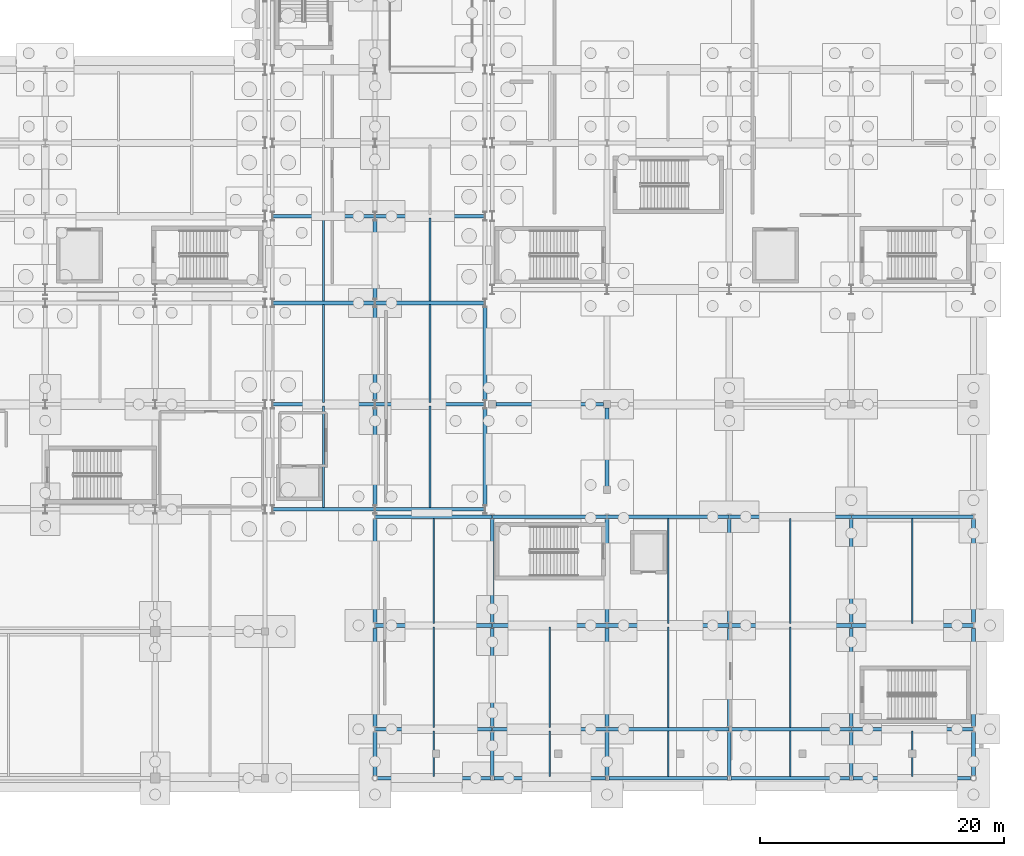
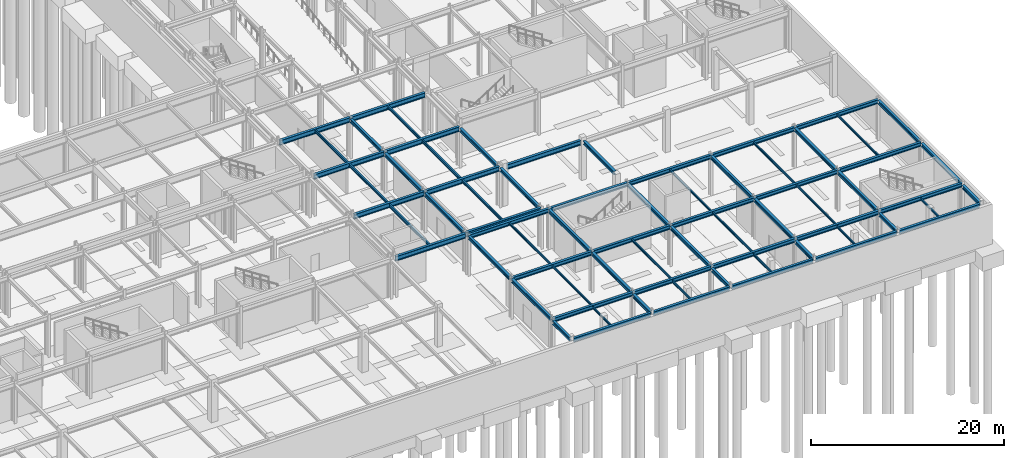
# One storey, part 37 of 65: 72 beams.
"""IFC4 building model written with IfcOpenShell, lengths in metres."""

from ifc_helpers import new_model, si_unit, direction, frame, origin, origin_2d, place, context, subcontext, project, spatial, i_section, extrude, material, material_profile, profile_set, type_object, element, save


model = new_model("IFC4")

# Units and contexts
model_context = context("Model", 3, precision=1e-05, world=origin(), true_north=direction((0.0, 1.0)))
body_context = subcontext(model_context, "Body", "Model", "MODEL_VIEW")
ifc_project = project(units=[si_unit("LENGTHUNIT", "METRE"), si_unit("AREAUNIT", "SQUARE_METRE"), si_unit("VOLUMEUNIT", "CUBIC_METRE"), si_unit("PLANEANGLEUNIT", "RADIAN"), si_unit("MASSUNIT", "GRAM", prefix="KILO")], contexts=[model_context])

# Site, building, storey
site_placement = place(None, origin())
site = spatial("IfcSite", under=ifc_project, at=site_placement, CompositionType="ELEMENT")
building_placement = place(site_placement, origin())
building = spatial("IfcBuilding", under=site, at=building_placement, Name="Kaldris Quays Convention Centre", CompositionType="ELEMENT")
storey_placement = place(building_placement, frame((0.0, 0.0, -5.39990234375)))
storey = spatial("IfcBuildingStorey", under=building, at=storey_placement, Name="B1", CompositionType="ELEMENT", Elevation=-5.39990234375)

# Beams
ifc_material = material(Name="Steel S355J2", Category="steel")
ifc_material_profile_1 = material_profile(ifc_material, i_section(OverallWidth=0.300048828125, OverallDepth=0.60009765625, WebThickness=0.015380859375, FlangeThickness=0.030029296875, FilletRadius=0.027099609375, at=origin_2d()), Name="HEB 600")
ifc_profile_set_1 = profile_set([ifc_material_profile_1], Name="Steel S355J2")
beam_type_1 = type_object("IfcBeamType", Name="STRUCTURAL BEAM BM05", PredefinedType="BEAM", material=ifc_profile_set_1)
beam_1_placement = place(storey_placement, frame((146.6025390625, 38.0, 4.697998046875), z_axis=(1.0, 0.0, 0.0), x_axis=(0.0, 1.0, 0.0)))
element("IfcBeam", 1, at=beam_1_placement, inside=storey, type_object=beam_type_1, Name="B1 Girder BM05 16", PredefinedType="BEAM", context=body_context, shape_type="SweptSolid", body=[
    extrude(i_section(OverallWidth=0.300048828125, OverallDepth=0.60009765625, WebThickness=0.015380859375, FlangeThickness=0.030029296875, FilletRadius=0.027099609375, at=origin_2d()), origin(), (0.0, 0.0, 1.0), 8.39501953125),
])
beam_2_placement = place(storey_placement, frame((155.00244140625, 38.0, 4.802978515625), z_axis=(1.0, 0.0, 0.0), x_axis=(0.0, 1.0, 0.0)))
element("IfcBeam", 2, at=beam_2_placement, inside=storey, type_object=beam_type_1, Name="B1 Girder BM05 17", PredefinedType="BEAM", context=body_context, shape_type="SweptSolid", body=[
    extrude(i_section(OverallWidth=0.300048828125, OverallDepth=0.60009765625, WebThickness=0.015380859375, FlangeThickness=0.030029296875, FilletRadius=0.027099609375, at=origin_2d()), origin(), (0.0, 0.0, 1.0), 8.9951171875),
])
beam_3_placement = place(storey_placement, frame((146.6025390625, 46.60009765625, 4.802978515625), z_axis=(1.0, 0.0, 0.0), x_axis=(0.0, 1.0, 0.0)))
element("IfcBeam", 3, at=beam_3_placement, inside=storey, type_object=beam_type_1, Name="B1 Girder BM05 31", PredefinedType="BEAM", context=body_context, shape_type="SweptSolid", body=[
    extrude(i_section(OverallWidth=0.300048828125, OverallDepth=0.60009765625, WebThickness=0.015380859375, FlangeThickness=0.030029296875, FilletRadius=0.027099609375, at=origin_2d()), origin(), (0.0, 0.0, 1.0), 8.39501953125),
])
beam_4_placement = place(storey_placement, frame((155.00244140625, 46.60009765625, 4.802978515625), z_axis=(1.0, 0.0, 0.0), x_axis=(0.0, 1.0, 0.0)))
element("IfcBeam", 4, at=beam_4_placement, inside=storey, type_object=beam_type_1, Name="B1 Girder BM05 32", PredefinedType="BEAM", context=body_context, shape_type="SweptSolid", body=[
    extrude(i_section(OverallWidth=0.300048828125, OverallDepth=0.60009765625, WebThickness=0.015380859375, FlangeThickness=0.030029296875, FilletRadius=0.027099609375, at=origin_2d()), origin(), (0.0, 0.0, 1.0), 8.9951171875),
])
beam_5_placement = place(storey_placement, frame((164.89404296875, 46.60009765625, 4.697998046875), z_axis=(1.0, 0.0, 0.0), x_axis=(0.0, 1.0, 0.0)))
element("IfcBeam", 5, at=beam_5_placement, inside=storey, type_object=beam_type_1, Name="B1 Girder BM05 33", PredefinedType="BEAM", context=body_context, shape_type="SweptSolid", body=[
    extrude(i_section(OverallWidth=0.300048828125, OverallDepth=0.60009765625, WebThickness=0.015380859375, FlangeThickness=0.030029296875, FilletRadius=0.027099609375, at=origin_2d()), origin(), (0.0, 0.0, 1.0), 8.81201171875),
])
beam_6_placement = place(storey_placement, frame((146.6025390625, 54.89990234375, 4.802978515625), z_axis=(1.0, 0.0, 0.0), x_axis=(0.0, 1.0, 0.0)))
element("IfcBeam", 6, at=beam_6_placement, inside=storey, type_object=beam_type_1, Name="B1 Girder BM05 50", PredefinedType="BEAM", context=body_context, shape_type="SweptSolid", body=[
    extrude(i_section(OverallWidth=0.300048828125, OverallDepth=0.60009765625, WebThickness=0.015380859375, FlangeThickness=0.030029296875, FilletRadius=0.027099609375, at=origin_2d()), origin(), (0.0, 0.0, 1.0), 8.39501953125),
])
beam_7_placement = place(storey_placement, frame((155.00244140625, 54.89990234375, 4.802978515625), z_axis=(1.0, 0.0, 0.0), x_axis=(0.0, 1.0, 0.0)))
element("IfcBeam", 7, at=beam_7_placement, inside=storey, type_object=beam_type_1, Name="B1 Girder BM05 51", PredefinedType="BEAM", context=body_context, shape_type="SweptSolid", body=[
    extrude(i_section(OverallWidth=0.300048828125, OverallDepth=0.60009765625, WebThickness=0.015380859375, FlangeThickness=0.030029296875, FilletRadius=0.027099609375, at=origin_2d()), origin(), (0.0, 0.0, 1.0), 8.9951171875),
])
beam_8_placement = place(storey_placement, frame((146.6025390625, 62.0, 4.802978515625), z_axis=(1.0, 0.0, 0.0), x_axis=(0.0, 1.0, 0.0)))
element("IfcBeam", 8, at=beam_8_placement, inside=storey, type_object=beam_type_1, Name="B1 Girder BM05 52", PredefinedType="BEAM", context=body_context, shape_type="SweptSolid", body=[
    extrude(i_section(OverallWidth=0.300048828125, OverallDepth=0.60009765625, WebThickness=0.015380859375, FlangeThickness=0.030029296875, FilletRadius=0.027099609375, at=origin_2d()), origin(), (0.0, 0.0, 1.0), 8.39501953125),
])
beam_9_placement = place(storey_placement, frame((155.00244140625, 62.0, 4.802978515625), z_axis=(1.0, 0.0, 0.0), x_axis=(0.0, 1.0, 0.0)))
element("IfcBeam", 9, at=beam_9_placement, inside=storey, type_object=beam_type_1, Name="B1 Girder BM05 53", PredefinedType="BEAM", context=body_context, shape_type="SweptSolid", body=[
    extrude(i_section(OverallWidth=0.300048828125, OverallDepth=0.60009765625, WebThickness=0.015380859375, FlangeThickness=0.030029296875, FilletRadius=0.027099609375, at=origin_2d()), origin(), (0.0, 0.0, 1.0), 8.9951171875),
])
ifc_material_profile_2 = material_profile(ifc_material, i_section(OverallWidth=0.300048828125, OverallDepth=0.5, WebThickness=0.014404296875, FlangeThickness=0.028076171875, FilletRadius=0.027099609375, at=origin_2d()), Name="HEB 500")
ifc_profile_set_2 = profile_set([ifc_material_profile_2], Name="Steel S355J2")
beam_type_2 = type_object("IfcBeamType", Name="STRUCTURAL BEAM BM06", PredefinedType="BEAM", material=ifc_profile_set_2)
beam_10_placement = place(storey_placement, frame((155.222412109375, 16.0, 4.747802734375), z_axis=(1.0, 0.0, 0.0), x_axis=(0.0, 1.0, 0.0)))
element("IfcBeam", 10, at=beam_10_placement, inside=storey, type_object=beam_type_2, Name="B1 Girder BM06 1", PredefinedType="BEAM", context=body_context, shape_type="SweptSolid", body=[
    extrude(i_section(OverallWidth=0.300048828125, OverallDepth=0.5, WebThickness=0.014404296875, FlangeThickness=0.028076171875, FilletRadius=0.027099609375, at=origin_2d()), origin(), (0.0, 0.0, 1.0), 9.233642578125),
])
beam_11_placement = place(storey_placement, frame((164.743896484375, 16.0, 4.747802734375), z_axis=(1.0, 0.0, 0.0), x_axis=(0.0, 1.0, 0.0)))
element("IfcBeam", 11, at=beam_11_placement, inside=storey, type_object=beam_type_2, Name="B1 Girder BM06 2", PredefinedType="BEAM", context=body_context, shape_type="SweptSolid", body=[
    extrude(i_section(OverallWidth=0.300048828125, OverallDepth=0.5, WebThickness=0.014404296875, FlangeThickness=0.028076171875, FilletRadius=0.027099609375, at=origin_2d()), origin(), (0.0, 0.0, 1.0), 9.112060546875),
])
for number, where, z_axis, x_axis, name in (
    (12, (174.14404296875, 16.0, 4.747802734375), (1.0, 0.0, 0.0), (0.0, 1.0, 0.0), "B1 Girder BM06 3"),
    (13, (184.14404296875, 16.0, 4.747802734375), (1.0, 0.0, 0.0), (0.0, 1.0, 0.0), "B1 Girder BM06 4"),
):
    element("IfcBeam", number, at=place(storey_placement, frame(where, z_axis=z_axis, x_axis=x_axis)), inside=storey, type_object=beam_type_2, Name=name, PredefinedType="BEAM", context=body_context, shape_type="SweptSolid", body=[
        extrude(i_section(OverallWidth=0.300048828125, OverallDepth=0.5, WebThickness=0.014404296875, FlangeThickness=0.028076171875, FilletRadius=0.027099609375, at=origin_2d()), origin(), (0.0, 0.0, 1.0), 9.7119140625),
    ])
beam_12_placement = place(storey_placement, frame((194.14404296875, 16.0, 4.747802734375), z_axis=(1.0, 0.0, 0.0), x_axis=(0.0, 1.0, 0.0)))
element("IfcBeam", 14, at=beam_12_placement, inside=storey, type_object=beam_type_2, Name="B1 Girder BM06 5", PredefinedType="BEAM", context=body_context, shape_type="SweptSolid", body=[
    extrude(i_section(OverallWidth=0.300048828125, OverallDepth=0.5, WebThickness=0.014404296875, FlangeThickness=0.028076171875, FilletRadius=0.027099609375, at=origin_2d()), origin(), (0.0, 0.0, 1.0), 9.633544921875),
])
beam_13_placement = place(storey_placement, frame((155.001220703125, 20.0, 4.892822265625), z_axis=(1.0, 0.0, 0.0), x_axis=(0.0, 1.0, 0.0)))
element("IfcBeam", 15, at=beam_13_placement, inside=storey, type_object=beam_type_2, Name="B1 Girder BM06 6", PredefinedType="BEAM", context=body_context, shape_type="SweptSolid", body=[
    extrude(i_section(OverallWidth=0.300048828125, OverallDepth=0.5, WebThickness=0.014404296875, FlangeThickness=0.028076171875, FilletRadius=0.027099609375, at=origin_2d()), origin(), (0.0, 0.0, 1.0), 9.597412109375),
])
beam_14_placement = place(storey_placement, frame((164.601318359375, 20.0, 4.892822265625), z_axis=(1.0, 0.0, 0.0), x_axis=(0.0, 1.0, 0.0)))
element("IfcBeam", 16, at=beam_14_placement, inside=storey, type_object=beam_type_2, Name="B1 Girder BM06 7", PredefinedType="BEAM", context=body_context, shape_type="SweptSolid", body=[
    extrude(i_section(OverallWidth=0.300048828125, OverallDepth=0.5, WebThickness=0.014404296875, FlangeThickness=0.028076171875, FilletRadius=0.027099609375, at=origin_2d()), origin(), (0.0, 0.0, 1.0), 9.3974609375),
])
for number, where, z_axis, x_axis, name in (
    (17, (174.001220703125, 20.0, 4.892822265625), (1.0, 0.0, 0.0), (0.0, 1.0, 0.0), "B1 Girder BM06 8"),
    (18, (184.001220703125, 20.0, 4.892822265625), (1.0, 0.0, 0.0), (0.0, 1.0, 0.0), "B1 Girder BM06 9"),
    (19, (194.001220703125, 20.0, 4.892822265625), (1.0, 0.0, 0.0), (0.0, 1.0, 0.0), "B1 Girder BM06 10"),
):
    element("IfcBeam", number, at=place(storey_placement, frame(where, z_axis=z_axis, x_axis=x_axis)), inside=storey, type_object=beam_type_2, Name=name, PredefinedType="BEAM", context=body_context, shape_type="SweptSolid", body=[
        extrude(i_section(OverallWidth=0.300048828125, OverallDepth=0.5, WebThickness=0.014404296875, FlangeThickness=0.028076171875, FilletRadius=0.027099609375, at=origin_2d()), origin(), (0.0, 0.0, 1.0), 9.99755859375),
    ])
beam_15_placement = place(storey_placement, frame((155.001220703125, 28.5, 4.892822265625), z_axis=(1.0, 0.0, 0.0), x_axis=(0.0, 1.0, 0.0)))
element("IfcBeam", 20, at=beam_15_placement, inside=storey, type_object=beam_type_2, Name="B1 Girder BM06 11", PredefinedType="BEAM", context=body_context, shape_type="SweptSolid", body=[
    extrude(i_section(OverallWidth=0.300048828125, OverallDepth=0.5, WebThickness=0.014404296875, FlangeThickness=0.028076171875, FilletRadius=0.027099609375, at=origin_2d()), origin(), (0.0, 0.0, 1.0), 9.597412109375),
])
beam_16_placement = place(storey_placement, frame((164.601318359375, 28.5, 4.892822265625), z_axis=(1.0, 0.0, 0.0), x_axis=(0.0, 1.0, 0.0)))
element("IfcBeam", 21, at=beam_16_placement, inside=storey, type_object=beam_type_2, Name="B1 Girder BM06 12", PredefinedType="BEAM", context=body_context, shape_type="SweptSolid", body=[
    extrude(i_section(OverallWidth=0.300048828125, OverallDepth=0.5, WebThickness=0.014404296875, FlangeThickness=0.028076171875, FilletRadius=0.027099609375, at=origin_2d()), origin(), (0.0, 0.0, 1.0), 9.3974609375),
])
for number, where, z_axis, x_axis, name in (
    (22, (174.001220703125, 28.5, 4.892822265625), (1.0, 0.0, 0.0), (0.0, 1.0, 0.0), "B1 Girder BM06 13"),
    (23, (184.001220703125, 28.5, 4.892822265625), (1.0, 0.0, 0.0), (0.0, 1.0, 0.0), "B1 Girder BM06 14"),
    (24, (194.001220703125, 28.5, 4.892822265625), (1.0, 0.0, 0.0), (0.0, 1.0, 0.0), "B1 Girder BM06 15"),
):
    element("IfcBeam", number, at=place(storey_placement, frame(where, z_axis=z_axis, x_axis=x_axis)), inside=storey, type_object=beam_type_2, Name=name, PredefinedType="BEAM", context=body_context, shape_type="SweptSolid", body=[
        extrude(i_section(OverallWidth=0.300048828125, OverallDepth=0.5, WebThickness=0.014404296875, FlangeThickness=0.028076171875, FilletRadius=0.027099609375, at=origin_2d()), origin(), (0.0, 0.0, 1.0), 9.99755859375),
    ])
beam_17_placement = place(storey_placement, frame((155.000732421875, 37.39990234375, 4.892822265625), z_axis=(1.0, 0.0, 0.0), x_axis=(0.0, 1.0, 0.0)))
element("IfcBeam", 25, at=beam_17_placement, inside=storey, type_object=beam_type_2, Name="B1 Girder BM06 16", PredefinedType="BEAM", context=body_context, shape_type="SweptSolid", body=[
    extrude(i_section(OverallWidth=0.300048828125, OverallDepth=0.5, WebThickness=0.014404296875, FlangeThickness=0.028076171875, FilletRadius=0.027099609375, at=origin_2d()), origin(), (0.0, 0.0, 1.0), 9.598388671875),
])
beam_18_placement = place(storey_placement, frame((164.600830078125, 37.39990234375, 4.892822265625), z_axis=(1.0, 0.0, 0.0), x_axis=(0.0, 1.0, 0.0)))
element("IfcBeam", 26, at=beam_18_placement, inside=storey, type_object=beam_type_2, Name="B1 Girder BM06 17", PredefinedType="BEAM", context=body_context, shape_type="SweptSolid", body=[
    extrude(i_section(OverallWidth=0.300048828125, OverallDepth=0.5, WebThickness=0.014404296875, FlangeThickness=0.028076171875, FilletRadius=0.027099609375, at=origin_2d()), origin(), (0.0, 0.0, 1.0), 9.3984375),
])
for number, where, z_axis, x_axis, name in (
    (27, (174.000732421875, 37.39990234375, 4.892822265625), (1.0, 0.0, 0.0), (0.0, 1.0, 0.0), "B1 Girder BM06 18"),
    (28, (184.000732421875, 37.39990234375, 4.892822265625), (1.0, 0.0, 0.0), (0.0, 1.0, 0.0), "B1 Girder BM06 19"),
    (29, (194.000732421875, 37.39990234375, 4.892822265625), (1.0, 0.0, 0.0), (0.0, 1.0, 0.0), "B1 Girder BM06 20"),
):
    element("IfcBeam", number, at=place(storey_placement, frame(where, z_axis=z_axis, x_axis=x_axis)), inside=storey, type_object=beam_type_2, Name=name, PredefinedType="BEAM", context=body_context, shape_type="SweptSolid", body=[
        extrude(i_section(OverallWidth=0.300048828125, OverallDepth=0.5, WebThickness=0.014404296875, FlangeThickness=0.028076171875, FilletRadius=0.027099609375, at=origin_2d()), origin(), (0.0, 0.0, 1.0), 9.99853515625),
    ])
ifc_material_profile_3 = material_profile(ifc_material, i_section(OverallWidth=0.300048828125, OverallDepth=0.449951171875, WebThickness=0.013916015625, FlangeThickness=0.02587890625, FilletRadius=0.027099609375, at=origin_2d()), Name="HEB 450")
ifc_profile_set_3 = profile_set([ifc_material_profile_3], Name="Steel S355J2")
beam_type_3 = type_object("IfcBeamType", Name="STRUCTURAL BEAM BM07", PredefinedType="BEAM", material=ifc_profile_set_3)
beam_19_placement = place(storey_placement, frame((155.0, 38.343994140625, 4.8779296875), z_axis=(0.0, 1.0, 0.0), x_axis=(-1.0, 0.0, 0.0)))
element("IfcBeam", 30, at=beam_19_placement, inside=storey, type_object=beam_type_3, Name="B1 Girder BM07 127", PredefinedType="BEAM", context=body_context, shape_type="SweptSolid", body=[
    extrude(i_section(OverallWidth=0.300048828125, OverallDepth=0.449951171875, WebThickness=0.013916015625, FlangeThickness=0.02587890625, FilletRadius=0.027099609375, at=origin_2d()), origin(), (0.0, 0.0, 1.0), 7.912109375),
])
beam_20_placement = place(storey_placement, frame((155.0, 46.944091796875, 4.8779296875), z_axis=(0.0, 1.0, 0.0), x_axis=(-1.0, 0.0, 0.0)))
element("IfcBeam", 31, at=beam_20_placement, inside=storey, type_object=beam_type_3, Name="B1 Girder BM07 128", PredefinedType="BEAM", context=body_context, shape_type="SweptSolid", body=[
    extrude(i_section(OverallWidth=0.300048828125, OverallDepth=0.449951171875, WebThickness=0.013916015625, FlangeThickness=0.02587890625, FilletRadius=0.027099609375, at=origin_2d()), origin(), (0.0, 0.0, 1.0), 7.61181640625),
])
beam_21_placement = place(storey_placement, frame((155.0, 55.243896484375, 4.8779296875), z_axis=(0.0, 1.0, 0.0), x_axis=(-1.0, 0.0, 0.0)))
element("IfcBeam", 32, at=beam_21_placement, inside=storey, type_object=beam_type_3, Name="B1 Girder BM07 129", PredefinedType="BEAM", context=body_context, shape_type="SweptSolid", body=[
    extrude(i_section(OverallWidth=0.300048828125, OverallDepth=0.449951171875, WebThickness=0.013916015625, FlangeThickness=0.02587890625, FilletRadius=0.027099609375, at=origin_2d()), origin(), (0.0, 0.0, 1.0), 6.412109375),
])
beam_22_placement = place(storey_placement, frame((164.0, 38.343994140625, 4.8779296875), z_axis=(0.0, 1.0, 0.0), x_axis=(-1.0, 0.0, 0.0)))
element("IfcBeam", 33, at=beam_22_placement, inside=storey, type_object=beam_type_3, Name="B1 Girder BM07 140", PredefinedType="BEAM", context=body_context, shape_type="SweptSolid", body=[
    extrude(i_section(OverallWidth=0.300048828125, OverallDepth=0.449951171875, WebThickness=0.013916015625, FlangeThickness=0.02587890625, FilletRadius=0.027099609375, at=origin_2d()), origin(), (0.0, 0.0, 1.0), 7.912109375),
])
beam_23_placement = place(storey_placement, frame((164.0, 46.944091796875, 4.8779296875), z_axis=(0.0, 1.0, 0.0), x_axis=(-1.0, 0.0, 0.0)))
element("IfcBeam", 34, at=beam_23_placement, inside=storey, type_object=beam_type_3, Name="B1 Girder BM07 141", PredefinedType="BEAM", context=body_context, shape_type="SweptSolid", body=[
    extrude(i_section(OverallWidth=0.300048828125, OverallDepth=0.449951171875, WebThickness=0.013916015625, FlangeThickness=0.02587890625, FilletRadius=0.027099609375, at=origin_2d()), origin(), (0.0, 0.0, 1.0), 7.61181640625),
])
beam_24_placement = place(storey_placement, frame((174.0, 39.89404296875, 4.77294921875), z_axis=(0.0, 1.0, 0.0), x_axis=(-1.0, 0.0, 0.0)))
element("IfcBeam", 35, at=beam_24_placement, inside=storey, type_object=beam_type_3, Name="B1 Girder BM07 157", PredefinedType="BEAM", context=body_context, shape_type="SweptSolid", body=[
    extrude(i_section(OverallWidth=0.300048828125, OverallDepth=0.449951171875, WebThickness=0.013916015625, FlangeThickness=0.02587890625, FilletRadius=0.027099609375, at=origin_2d()), origin(), (0.0, 0.0, 1.0), 6.411865234375),
])
beam_25_placement = place(storey_placement, frame((155.0, 16.222412109375, 4.77294921875), z_axis=(0.0, 1.0, 0.0), x_axis=(-1.0, 0.0, 0.0)))
element("IfcBeam", 36, at=beam_25_placement, inside=storey, type_object=beam_type_3, Name="B1 Girder BM07 21", PredefinedType="BEAM", context=body_context, shape_type="SweptSolid", body=[
    extrude(i_section(OverallWidth=0.300048828125, OverallDepth=0.449951171875, WebThickness=0.013916015625, FlangeThickness=0.02587890625, FilletRadius=0.027099609375, at=origin_2d()), origin(), (0.0, 0.0, 1.0), 3.53369140625),
])
beam_26_placement = place(storey_placement, frame((155.0, 20.243896484375, 4.91796875), z_axis=(0.0, 1.0, 0.0), x_axis=(-1.0, 0.0, 0.0)))
element("IfcBeam", 37, at=beam_26_placement, inside=storey, type_object=beam_type_3, Name="B1 Girder BM07 22", PredefinedType="BEAM", context=body_context, shape_type="SweptSolid", body=[
    extrude(i_section(OverallWidth=0.300048828125, OverallDepth=0.449951171875, WebThickness=0.013916015625, FlangeThickness=0.02587890625, FilletRadius=0.027099609375, at=origin_2d()), origin(), (0.0, 0.0, 1.0), 8.01220703125),
])
beam_27_placement = place(storey_placement, frame((155.0, 28.743896484375, 4.91796875), z_axis=(0.0, 1.0, 0.0), x_axis=(-1.0, 0.0, 0.0)))
element("IfcBeam", 38, at=beam_27_placement, inside=storey, type_object=beam_type_3, Name="B1 Girder BM07 23", PredefinedType="BEAM", context=body_context, shape_type="SweptSolid", body=[
    extrude(i_section(OverallWidth=0.300048828125, OverallDepth=0.449951171875, WebThickness=0.013916015625, FlangeThickness=0.02587890625, FilletRadius=0.027099609375, at=origin_2d()), origin(), (0.0, 0.0, 1.0), 8.462158203125),
])
beam_28_placement = place(storey_placement, frame((164.60009765625, 16.1689453125, 4.77294921875), z_axis=(0.0, 1.0, 0.0), x_axis=(-1.0, 0.0, 0.0)))
element("IfcBeam", 39, at=beam_28_placement, inside=storey, type_object=beam_type_3, Name="B1 Girder BM07 24", PredefinedType="BEAM", context=body_context, shape_type="SweptSolid", body=[
    extrude(i_section(OverallWidth=0.300048828125, OverallDepth=0.449951171875, WebThickness=0.013916015625, FlangeThickness=0.02587890625, FilletRadius=0.027099609375, at=origin_2d()), origin(), (0.0, 0.0, 1.0), 3.587158203125),
])
beam_29_placement = place(storey_placement, frame((164.60009765625, 20.243896484375, 4.91796875), z_axis=(0.0, 1.0, 0.0), x_axis=(-1.0, 0.0, 0.0)))
element("IfcBeam", 40, at=beam_29_placement, inside=storey, type_object=beam_type_3, Name="B1 Girder BM07 25", PredefinedType="BEAM", context=body_context, shape_type="SweptSolid", body=[
    extrude(i_section(OverallWidth=0.300048828125, OverallDepth=0.449951171875, WebThickness=0.013916015625, FlangeThickness=0.02587890625, FilletRadius=0.027099609375, at=origin_2d()), origin(), (0.0, 0.0, 1.0), 8.01220703125),
])
beam_30_placement = place(storey_placement, frame((164.60009765625, 28.743896484375, 4.91796875), z_axis=(0.0, 1.0, 0.0), x_axis=(-1.0, 0.0, 0.0)))
element("IfcBeam", 41, at=beam_30_placement, inside=storey, type_object=beam_type_3, Name="B1 Girder BM07 26", PredefinedType="BEAM", context=body_context, shape_type="SweptSolid", body=[
    extrude(i_section(OverallWidth=0.300048828125, OverallDepth=0.449951171875, WebThickness=0.013916015625, FlangeThickness=0.02587890625, FilletRadius=0.027099609375, at=origin_2d()), origin(), (0.0, 0.0, 1.0), 8.462158203125),
])
beam_31_placement = place(storey_placement, frame((174.0, 16.1689453125, 4.77294921875), z_axis=(0.0, 1.0, 0.0), x_axis=(-1.0, 0.0, 0.0)))
element("IfcBeam", 42, at=beam_31_placement, inside=storey, type_object=beam_type_3, Name="B1 Girder BM07 27", PredefinedType="BEAM", context=body_context, shape_type="SweptSolid", body=[
    extrude(i_section(OverallWidth=0.300048828125, OverallDepth=0.449951171875, WebThickness=0.013916015625, FlangeThickness=0.02587890625, FilletRadius=0.027099609375, at=origin_2d()), origin(), (0.0, 0.0, 1.0), 3.587158203125),
])
beam_32_placement = place(storey_placement, frame((174.0, 20.243896484375, 4.91796875), z_axis=(0.0, 1.0, 0.0), x_axis=(-1.0, 0.0, 0.0)))
element("IfcBeam", 43, at=beam_32_placement, inside=storey, type_object=beam_type_3, Name="B1 Girder BM07 28", PredefinedType="BEAM", context=body_context, shape_type="SweptSolid", body=[
    extrude(i_section(OverallWidth=0.300048828125, OverallDepth=0.449951171875, WebThickness=0.013916015625, FlangeThickness=0.02587890625, FilletRadius=0.027099609375, at=origin_2d()), origin(), (0.0, 0.0, 1.0), 8.01220703125),
])
beam_33_placement = place(storey_placement, frame((174.0, 28.743896484375, 4.91796875), z_axis=(0.0, 1.0, 0.0), x_axis=(-1.0, 0.0, 0.0)))
element("IfcBeam", 44, at=beam_33_placement, inside=storey, type_object=beam_type_3, Name="B1 Girder BM07 29", PredefinedType="BEAM", context=body_context, shape_type="SweptSolid", body=[
    extrude(i_section(OverallWidth=0.300048828125, OverallDepth=0.449951171875, WebThickness=0.013916015625, FlangeThickness=0.02587890625, FilletRadius=0.027099609375, at=origin_2d()), origin(), (0.0, 0.0, 1.0), 8.462158203125),
])
beam_34_placement = place(storey_placement, frame((184.0, 16.1689453125, 4.77294921875), z_axis=(0.0, 1.0, 0.0), x_axis=(-1.0, 0.0, 0.0)))
element("IfcBeam", 45, at=beam_34_placement, inside=storey, type_object=beam_type_3, Name="B1 Girder BM07 30", PredefinedType="BEAM", context=body_context, shape_type="SweptSolid", body=[
    extrude(i_section(OverallWidth=0.300048828125, OverallDepth=0.449951171875, WebThickness=0.013916015625, FlangeThickness=0.02587890625, FilletRadius=0.027099609375, at=origin_2d()), origin(), (0.0, 0.0, 1.0), 3.587158203125),
])
beam_35_placement = place(storey_placement, frame((184.0, 20.243896484375, 4.91796875), z_axis=(0.0, 1.0, 0.0), x_axis=(-1.0, 0.0, 0.0)))
element("IfcBeam", 46, at=beam_35_placement, inside=storey, type_object=beam_type_3, Name="B1 Girder BM07 31", PredefinedType="BEAM", context=body_context, shape_type="SweptSolid", body=[
    extrude(i_section(OverallWidth=0.300048828125, OverallDepth=0.449951171875, WebThickness=0.013916015625, FlangeThickness=0.02587890625, FilletRadius=0.027099609375, at=origin_2d()), origin(), (0.0, 0.0, 1.0), 8.01220703125),
])
beam_36_placement = place(storey_placement, frame((184.0, 28.743896484375, 4.91796875), z_axis=(0.0, 1.0, 0.0), x_axis=(-1.0, 0.0, 0.0)))
element("IfcBeam", 47, at=beam_36_placement, inside=storey, type_object=beam_type_3, Name="B1 Girder BM07 32", PredefinedType="BEAM", context=body_context, shape_type="SweptSolid", body=[
    extrude(i_section(OverallWidth=0.300048828125, OverallDepth=0.449951171875, WebThickness=0.013916015625, FlangeThickness=0.02587890625, FilletRadius=0.027099609375, at=origin_2d()), origin(), (0.0, 0.0, 1.0), 8.462158203125),
])
beam_37_placement = place(storey_placement, frame((194.0, 16.1689453125, 4.77294921875), z_axis=(0.0, 1.0, 0.0), x_axis=(-1.0, 0.0, 0.0)))
element("IfcBeam", 48, at=beam_37_placement, inside=storey, type_object=beam_type_3, Name="B1 Girder BM07 33", PredefinedType="BEAM", context=body_context, shape_type="SweptSolid", body=[
    extrude(i_section(OverallWidth=0.300048828125, OverallDepth=0.449951171875, WebThickness=0.013916015625, FlangeThickness=0.02587890625, FilletRadius=0.027099609375, at=origin_2d()), origin(), (0.0, 0.0, 1.0), 3.587158203125),
])
beam_38_placement = place(storey_placement, frame((194.0, 20.243896484375, 4.91796875), z_axis=(0.0, 1.0, 0.0), x_axis=(-1.0, 0.0, 0.0)))
element("IfcBeam", 49, at=beam_38_placement, inside=storey, type_object=beam_type_3, Name="B1 Girder BM07 34", PredefinedType="BEAM", context=body_context, shape_type="SweptSolid", body=[
    extrude(i_section(OverallWidth=0.300048828125, OverallDepth=0.449951171875, WebThickness=0.013916015625, FlangeThickness=0.02587890625, FilletRadius=0.027099609375, at=origin_2d()), origin(), (0.0, 0.0, 1.0), 8.01220703125),
])
beam_39_placement = place(storey_placement, frame((194.0, 28.743896484375, 4.91796875), z_axis=(0.0, 1.0, 0.0), x_axis=(-1.0, 0.0, 0.0)))
element("IfcBeam", 50, at=beam_39_placement, inside=storey, type_object=beam_type_3, Name="B1 Girder BM07 35", PredefinedType="BEAM", context=body_context, shape_type="SweptSolid", body=[
    extrude(i_section(OverallWidth=0.300048828125, OverallDepth=0.449951171875, WebThickness=0.013916015625, FlangeThickness=0.02587890625, FilletRadius=0.027099609375, at=origin_2d()), origin(), (0.0, 0.0, 1.0), 8.462158203125),
])
beam_40_placement = place(storey_placement, frame((204.0, 16.222412109375, 4.77294921875), z_axis=(0.0, 1.0, 0.0), x_axis=(-1.0, 0.0, 0.0)))
element("IfcBeam", 51, at=beam_40_placement, inside=storey, type_object=beam_type_3, Name="B1 Girder BM07 36", PredefinedType="BEAM", context=body_context, shape_type="SweptSolid", body=[
    extrude(i_section(OverallWidth=0.300048828125, OverallDepth=0.449951171875, WebThickness=0.013916015625, FlangeThickness=0.02587890625, FilletRadius=0.027099609375, at=origin_2d()), origin(), (0.0, 0.0, 1.0), 3.53369140625),
])
beam_41_placement = place(storey_placement, frame((204.0, 20.243896484375, 4.91796875), z_axis=(0.0, 1.0, 0.0), x_axis=(-1.0, 0.0, 0.0)))
element("IfcBeam", 52, at=beam_41_placement, inside=storey, type_object=beam_type_3, Name="B1 Girder BM07 37", PredefinedType="BEAM", context=body_context, shape_type="SweptSolid", body=[
    extrude(i_section(OverallWidth=0.300048828125, OverallDepth=0.449951171875, WebThickness=0.013916015625, FlangeThickness=0.02587890625, FilletRadius=0.027099609375, at=origin_2d()), origin(), (0.0, 0.0, 1.0), 8.01220703125),
])
beam_42_placement = place(storey_placement, frame((204.0, 28.743896484375, 4.91796875), z_axis=(0.0, 1.0, 0.0), x_axis=(-1.0, 0.0, 0.0)))
element("IfcBeam", 53, at=beam_42_placement, inside=storey, type_object=beam_type_3, Name="B1 Girder BM07 38", PredefinedType="BEAM", context=body_context, shape_type="SweptSolid", body=[
    extrude(i_section(OverallWidth=0.300048828125, OverallDepth=0.449951171875, WebThickness=0.013916015625, FlangeThickness=0.02587890625, FilletRadius=0.027099609375, at=origin_2d()), origin(), (0.0, 0.0, 1.0), 8.462158203125),
])
ifc_material_profile_4 = material_profile(ifc_material, i_section(OverallWidth=0.169921875, OverallDepth=0.360107421875, WebThickness=0.008056640625, FlangeThickness=0.0126953125, FilletRadius=0.01806640625, at=origin_2d()), Name="IPE 360")
ifc_profile_set_4 = profile_set([ifc_material_profile_4], Name="Steel S355J2")
beam_type_4 = type_object("IfcBeamType", Name="STRUCTURAL BEAM JT03", PredefinedType="JOIST", material=ifc_profile_set_4)
for number, where, z_axis, x_axis, name in (
    (54, (150.800048828125, 38.14404296875, 4.81787109375), (0.0, 1.0, 0.0), (-1.0, 0.0, 0.0), "B1 Secondary Joist JT03 9"),
    (55, (159.5, 38.14404296875, 4.9228515625), (0.0, 1.0, 0.0), (-1.0, 0.0, 0.0), "B1 Secondary Joist JT03 10"),
):
    element("IfcBeam", number, at=place(storey_placement, frame(where, z_axis=z_axis, x_axis=x_axis)), inside=storey, type_object=beam_type_4, Name=name, PredefinedType="JOIST", context=body_context, shape_type="SweptSolid", body=[
        extrude(i_section(OverallWidth=0.169921875, OverallDepth=0.360107421875, WebThickness=0.008056640625, FlangeThickness=0.0126953125, FilletRadius=0.01806640625, at=origin_2d()), origin(), (0.0, 0.0, 1.0), 8.31201171875),
    ])
for number, where, z_axis, x_axis, name in (
    (56, (150.800048828125, 46.743896484375, 4.9228515625), (0.0, 1.0, 0.0), (-1.0, 0.0, 0.0), "B1 Secondary Joist JT03 24"),
    (57, (159.5, 46.743896484375, 4.9228515625), (0.0, 1.0, 0.0), (-1.0, 0.0, 0.0), "B1 Secondary Joist JT03 25"),
):
    element("IfcBeam", number, at=place(storey_placement, frame(where, z_axis=z_axis, x_axis=x_axis)), inside=storey, type_object=beam_type_4, Name=name, PredefinedType="JOIST", context=body_context, shape_type="SweptSolid", body=[
        extrude(i_section(OverallWidth=0.169921875, OverallDepth=0.360107421875, WebThickness=0.008056640625, FlangeThickness=0.0126953125, FilletRadius=0.01806640625, at=origin_2d()), origin(), (0.0, 0.0, 1.0), 8.01220703125),
    ])
for number, where, z_axis, x_axis, name in (
    (58, (150.800048828125, 55.0439453125, 4.9228515625), (0.0, 1.0, 0.0), (-1.0, 0.0, 0.0), "B1 Secondary Joist JT03 26"),
    (59, (159.5, 55.0439453125, 4.9228515625), (0.0, 1.0, 0.0), (-1.0, 0.0, 0.0), "B1 Secondary Joist JT03 27"),
):
    element("IfcBeam", number, at=place(storey_placement, frame(where, z_axis=z_axis, x_axis=x_axis)), inside=storey, type_object=beam_type_4, Name=name, PredefinedType="JOIST", context=body_context, shape_type="SweptSolid", body=[
        extrude(i_section(OverallWidth=0.169921875, OverallDepth=0.360107421875, WebThickness=0.008056640625, FlangeThickness=0.0126953125, FilletRadius=0.01806640625, at=origin_2d()), origin(), (0.0, 0.0, 1.0), 6.81201171875),
    ])
ifc_material_profile_5 = material_profile(ifc_material, i_section(OverallWidth=0.135009765625, OverallDepth=0.27001953125, WebThickness=0.006591796875, FlangeThickness=0.01025390625, FilletRadius=0.014892578125, at=origin_2d()), Name="IPE 270")
ifc_profile_set_5 = profile_set([ifc_material_profile_5], Name="Steel S355J2")
beam_type_5 = type_object("IfcBeamType", Name="STRUCTURAL BEAM JT07", PredefinedType="JOIST", material=ifc_profile_set_5)
for number, where, z_axis, x_axis, name in (
    (60, (159.800048828125, 16.14404296875, 4.86279296875), (0.0, 1.0, 0.0), (-1.0, 0.0, 0.0), "B1 Secondary Joist JT07 1"),
    (61, (169.300048828125, 16.14404296875, 4.86279296875), (0.0, 1.0, 0.0), (-1.0, 0.0, 0.0), "B1 Secondary Joist JT07 2"),
    (62, (179.0, 16.14404296875, 4.86279296875), (0.0, 1.0, 0.0), (-1.0, 0.0, 0.0), "B1 Secondary Joist JT07 3"),
    (63, (189.0, 16.14404296875, 4.86279296875), (0.0, 1.0, 0.0), (-1.0, 0.0, 0.0), "B1 Secondary Joist JT07 4"),
    (64, (199.0, 16.14404296875, 4.86279296875), (0.0, 1.0, 0.0), (-1.0, 0.0, 0.0), "B1 Secondary Joist JT07 5"),
):
    element("IfcBeam", number, at=place(storey_placement, frame(where, z_axis=z_axis, x_axis=x_axis)), inside=storey, type_object=beam_type_5, Name=name, PredefinedType="JOIST", context=body_context, shape_type="SweptSolid", body=[
        extrude(i_section(OverallWidth=0.135009765625, OverallDepth=0.27001953125, WebThickness=0.006591796875, FlangeThickness=0.01025390625, FilletRadius=0.014892578125, at=origin_2d()), origin(), (0.0, 0.0, 1.0), 3.7119140625),
    ])
for number, where, z_axis, x_axis, name in (
    (65, (159.800048828125, 20.14404296875, 5.0078125), (0.0, 1.0, 0.0), (-1.0, 0.0, 0.0), "B1 Secondary Joist JT07 6"),
    (66, (169.300048828125, 20.14404296875, 5.0078125), (0.0, 1.0, 0.0), (-1.0, 0.0, 0.0), "B1 Secondary Joist JT07 7"),
    (67, (179.0, 20.14404296875, 5.0078125), (0.0, 1.0, 0.0), (-1.0, 0.0, 0.0), "B1 Secondary Joist JT07 8"),
    (68, (189.0, 20.14404296875, 5.0078125), (0.0, 1.0, 0.0), (-1.0, 0.0, 0.0), "B1 Secondary Joist JT07 9"),
):
    element("IfcBeam", number, at=place(storey_placement, frame(where, z_axis=z_axis, x_axis=x_axis)), inside=storey, type_object=beam_type_5, Name=name, PredefinedType="JOIST", context=body_context, shape_type="SweptSolid", body=[
        extrude(i_section(OverallWidth=0.135009765625, OverallDepth=0.27001953125, WebThickness=0.006591796875, FlangeThickness=0.01025390625, FilletRadius=0.014892578125, at=origin_2d()), origin(), (0.0, 0.0, 1.0), 8.2119140625),
    ])
for number, where, z_axis, x_axis, name in (
    (69, (159.800048828125, 28.64404296875, 5.0078125), (0.0, 1.0, 0.0), (-1.0, 0.0, 0.0), "B1 Secondary Joist JT07 10"),
    (70, (179.0, 28.64404296875, 5.0078125), (0.0, 1.0, 0.0), (-1.0, 0.0, 0.0), "B1 Secondary Joist JT07 11"),
    (71, (189.0, 28.64404296875, 5.0078125), (0.0, 1.0, 0.0), (-1.0, 0.0, 0.0), "B1 Secondary Joist JT07 12"),
    (72, (199.0, 28.64404296875, 5.0078125), (0.0, 1.0, 0.0), (-1.0, 0.0, 0.0), "B1 Secondary Joist JT07 13"),
):
    element("IfcBeam", number, at=place(storey_placement, frame(where, z_axis=z_axis, x_axis=x_axis)), inside=storey, type_object=beam_type_5, Name=name, PredefinedType="JOIST", context=body_context, shape_type="SweptSolid", body=[
        extrude(i_section(OverallWidth=0.135009765625, OverallDepth=0.27001953125, WebThickness=0.006591796875, FlangeThickness=0.01025390625, FilletRadius=0.014892578125, at=origin_2d()), origin(), (0.0, 0.0, 1.0), 8.612060546875),
    ])

save(model, "model.ifc")
